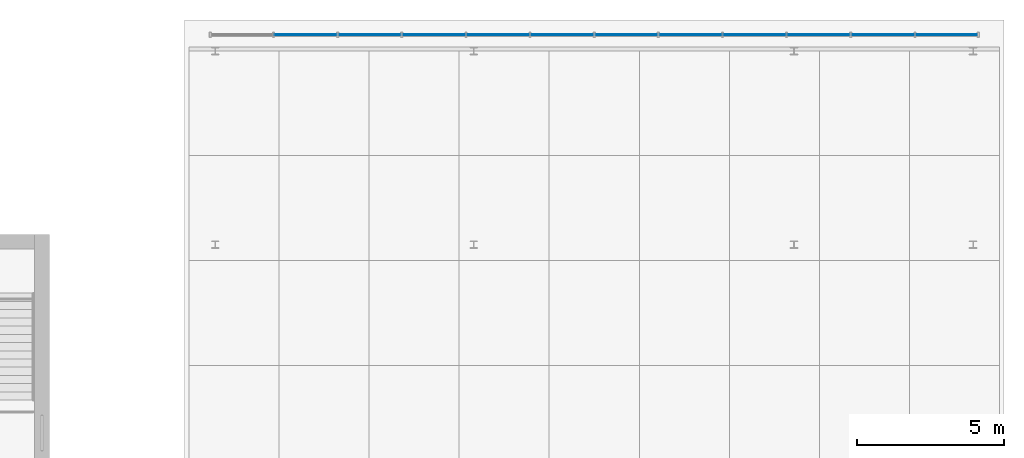
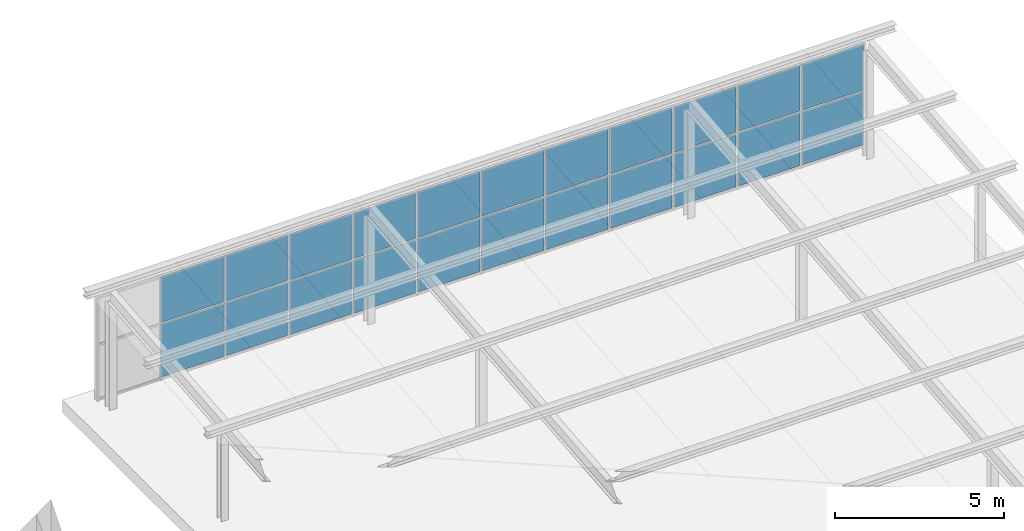
# One storey, part 34 of 44: 22 plates, 1 element without a shape of its own.
"""IFC4 building model written with IfcOpenShell, lengths in metres."""

import ifcopenshell
import ifcopenshell.guid

model = None  # the IFC model being written
_history = None  # IfcOwnerHistory: only IFC2X3 demands one
_inside = {}  # id of a spatial element -> (the spatial element, [elements in it])
_under = {}  # id of a project, library or spatial element -> (it, [spatial elements below it])
_declared = {}  # id of a project -> (the project, [libraries it declares])
_typed = {}  # id of a type object -> (the type object, [elements of that type])
_made_of = {}  # id of a material, layer set ... -> (it, [elements and type objects made of it])


def new_model(schema):
    """Start an empty IFC model of exactly this schema.

    Asked for "IFC4X3", IfcOpenShell would pick the latest addendum, in which some entities
    have other attributes; the version numbers below select the first issue.
    IFC2X3 requires an IfcOwnerHistory on every rooted entity: one is made here for all.
    """
    global model, _history
    if schema == "IFC4X3":
        model = ifcopenshell.file(schema_version=(4, 3, 0, 0))
    else:
        model = ifcopenshell.file(schema=schema)
    _inside.clear()
    _under.clear()
    _declared.clear()
    _typed.clear()
    _made_of.clear()
    _history = None
    if model.schema == "IFC2X3":
        org = make("IfcOrganization", Name="unknown")
        user = make(
            "IfcPersonAndOrganization",
            ThePerson=make("IfcPerson", FamilyName="unknown"),
            TheOrganization=org,
        )
        app = make(
            "IfcApplication",
            ApplicationDeveloper=org,
            Version="unknown",
            ApplicationFullName="unknown",
            ApplicationIdentifier="unknown",
        )
        _history = make(
            "IfcOwnerHistory",
            OwningUser=user,
            OwningApplication=app,
            ChangeAction="ADDED",
            CreationDate=0,
        )
    return model


def make(cls, **values):
    """One entity of the class cls with the attributes given. An attribute that is None is left unset."""
    return model.create_entity(
        cls, **{name: value for name, value in values.items() if value is not None}
    )


def rooted(cls, **values):
    """An entity with a GlobalId (a new one), such as an element, a storey or a relation."""
    return make(cls, GlobalId=ifcopenshell.guid.new(), OwnerHistory=_history, **values)


def si_unit(unit_type, name, prefix=None):
    """IfcSIUnit, for example si_unit("LENGTHUNIT", "METRE", prefix="MILLI")."""
    return make("IfcSIUnit", UnitType=unit_type, Prefix=prefix, Name=name)


def assignment(units):
    """IfcUnitAssignment: the units of a project."""
    return None if units is None else make("IfcUnitAssignment", Units=units)


def point(xyz):
    """IfcCartesianPoint."""
    return None if xyz is None else make("IfcCartesianPoint", Coordinates=xyz)


def direction(xyz):
    """IfcDirection."""
    return None if xyz is None else make("IfcDirection", DirectionRatios=xyz)


def frame(location, z_axis=None, x_axis=None):
    """IfcAxis2Placement3D, a coordinate frame: its origin and axes. An axis left out is left unset."""
    return make(
        "IfcAxis2Placement3D",
        Location=point(location),
        Axis=direction(z_axis),
        RefDirection=direction(x_axis),
    )


def frame_2d(location, x_axis=None):
    """IfcAxis2Placement2D, a coordinate frame in the plane: its origin and x axis."""
    return make(
        "IfcAxis2Placement2D", Location=point(location), RefDirection=direction(x_axis)
    )


def origin():
    """The frame at (0, 0, 0) with its axes left unset."""
    return frame((0.0, 0.0, 0.0))


def origin_2d():
    """The frame at (0, 0) in the plane with its x axis left unset."""
    return frame_2d((0.0, 0.0))


def place(relative_to, where):
    """IfcLocalPlacement: puts the frame where relative to a parent placement (None: the world)."""
    return make(
        "IfcLocalPlacement", PlacementRelTo=relative_to, RelativePlacement=where
    )


def context(
    kind, dimensions, precision=None, world=None, true_north=None, identifier=None
):
    """IfcGeometricRepresentationContext, for example the 3D "Model" context."""
    return make(
        "IfcGeometricRepresentationContext",
        ContextIdentifier=identifier,
        ContextType=kind,
        CoordinateSpaceDimension=dimensions,
        Precision=precision,
        WorldCoordinateSystem=world,
        TrueNorth=true_north,
    )


def subcontext(parent, identifier, kind, view, scale=None):
    """IfcGeometricRepresentationSubContext, for example "Body" below "Model"."""
    return make(
        "IfcGeometricRepresentationSubContext",
        ContextIdentifier=identifier,
        ContextType=kind,
        ParentContext=parent,
        TargetScale=scale,
        TargetView=view,
    )


def project(units=None, contexts=None):
    """IfcProject with its units and contexts."""
    return rooted(
        "IfcProject",
        Name="project",
        RepresentationContexts=contexts,
        UnitsInContext=assignment(units),
    )


def spatial(cls, under=None, at=None, **own):
    """A site, building, storey or space (cls), placed at a placement, below another one or the project."""
    s = rooted(cls, ObjectPlacement=at, **own)
    if under is not None:
        _under.setdefault(under.id(), (under, []))[1].append(s)
    return s


def profile(cls, at=None, kind="AREA", **sizes):
    """A parametric profile (cls). Its sizes go by their IFC names, for example OverallWidth=200.0."""
    return make(cls, ProfileType=kind, Position=at, **sizes)


def rectangle(**sizes):
    """IfcRectangleProfileDef."""
    return profile("IfcRectangleProfileDef", **sizes)


def extrude(swept, where, along, depth):
    """IfcExtrudedAreaSolid: the profile swept, set in the frame where, extruded along a direction by depth."""
    return make(
        "IfcExtrudedAreaSolid",
        SweptArea=swept,
        Position=where,
        ExtrudedDirection=direction(along),
        Depth=depth,
    )


def shape(context_of_items, identifier, shape_type, items):
    """IfcShapeRepresentation: the items that make up one representation, for example the "Body"."""
    return make(
        "IfcShapeRepresentation",
        ContextOfItems=context_of_items,
        RepresentationIdentifier=identifier,
        RepresentationType=shape_type,
        Items=items,
    )


def material(Name=None, Category=None):
    """IfcMaterial."""
    return make("IfcMaterial", Name=Name, Category=Category)


def layer(
    of_material, thickness, ventilated=None, Name=None, Category=None, Priority=None
):
    """IfcMaterialLayer: one layer of a wall or slab, of a material (None: an air gap)."""
    return make(
        "IfcMaterialLayer",
        Material=of_material,
        LayerThickness=thickness,
        IsVentilated=ventilated,
        Name=Name,
        Category=Category,
        Priority=Priority,
    )


def layer_set(layers, Name=None):
    """IfcMaterialLayerSet."""
    return make("IfcMaterialLayerSet", MaterialLayers=layers, LayerSetName=Name)


def made_of(thing, what):
    """Note that an element or type object is made of a material, layer set ...; save() writes the relation."""
    if what is not None:
        _made_of.setdefault(what.id(), (what, []))[1].append(thing)
    return thing


def type_object(cls, material=None, **own):
    """A type object (cls), such as IfcWallType, which elements share."""
    return made_of(rooted(cls, **own), material)


def element(
    cls,
    number,
    at=None,
    inside=None,
    cuts=None,
    type_object=None,
    material=None,
    context=None,
    identifier="Body",
    shape_type=None,
    held_by="IfcProductDefinitionShape",
    body=None,
    shapes=None,
    **own,
):
    """One element of the class cls, such as IfcWall. Its Tag is "e" and its number.

    at: its placement. inside: the storey or other place that contains it. cuts: it is an
    opening in that element (IfcRelVoidsElement). A single representation is given by context,
    identifier, shape_type and body (its items); several are given by shapes. held_by: the class
    of the entity that holds the representations. save() writes the other relations.
    """
    e = rooted(cls, Tag="e%d" % number, ObjectPlacement=at, **own)
    if body is not None:
        shapes = [shape(context, identifier, shape_type, body)]
    if shapes is not None:
        e.Representation = make(held_by, Representations=shapes)
    if inside is not None:
        _inside.setdefault(inside.id(), (inside, []))[1].append(e)
    if cuts is not None:
        rooted(
            "IfcRelVoidsElement", RelatingBuildingElement=cuts, RelatedOpeningElement=e
        )
    if type_object is not None:
        _typed.setdefault(type_object.id(), (type_object, []))[1].append(e)
    return made_of(e, material)


def aggregate(whole, parts):
    """IfcRelAggregates: a whole, such as a stair, and the parts it consists of."""
    return rooted("IfcRelAggregates", RelatingObject=whole, RelatedObjects=parts)


def save(model, path):
    """Write the relations noted so far, then the file.

    IfcRelAggregates (storeys below a building ...), IfcRelContainedInSpatialStructure (elements
    in a storey), IfcRelDefinesByType, IfcRelAssociatesMaterial and IfcRelDeclares: one each for
    every whole, place, type object, material and project.
    """
    for whole, parts in _under.values():
        aggregate(whole, parts)
    for where, things in _inside.values():
        rooted(
            "IfcRelContainedInSpatialStructure",
            RelatedElements=things,
            RelatingStructure=where,
        )
    for kind, things in _typed.values():
        rooted("IfcRelDefinesByType", RelatedObjects=things, RelatingType=kind)
    for what, things in _made_of.values():
        rooted("IfcRelAssociatesMaterial", RelatedObjects=things, RelatingMaterial=what)
    for by, libraries in _declared.values():
        rooted("IfcRelDeclares", RelatingContext=by, RelatedDefinitions=libraries)
    model.write(path)


model = new_model("IFC4")

# Units and contexts
model_context = context("Model", 3, precision=1e-05, world=origin(), true_north=direction((0.0, 1.0)))
body_context = subcontext(model_context, "Body", "Model", "MODEL_VIEW")
ifc_project = project(units=[si_unit("LENGTHUNIT", "METRE"), si_unit("AREAUNIT", "SQUARE_METRE"), si_unit("VOLUMEUNIT", "CUBIC_METRE"), si_unit("PLANEANGLEUNIT", "RADIAN"), si_unit("MASSUNIT", "GRAM", prefix="KILO")], contexts=[model_context])

# Site, building, storey
site_placement = place(None, origin())
site = spatial("IfcSite", under=ifc_project, at=site_placement, CompositionType="ELEMENT")
building_placement = place(site_placement, origin())
building = spatial("IfcBuilding", under=site, at=building_placement, Name="Basin Gate Institute", CompositionType="ELEMENT")
storey_placement = place(building_placement, frame((0.0, 0.0, 27.0)))
storey = spatial("IfcBuildingStorey", under=building, at=storey_placement, Name="L05", CompositionType="ELEMENT", Elevation=27.0)

# Curtain wall, plates
ifc_material_1 = material(Name="Aluminium and glass curtain wall", Category="aluminium")
ifc_layer_1 = layer(ifc_material_1, 0.14990234375)
ifc_layer_set_1 = layer_set([ifc_layer_1], Name="Atrium curtain wall CW81")
curtain_wall_type = type_object("IfcCurtainWallType", Name="Atrium curtain wall CW81", PredefinedType="NOTDEFINED", material=ifc_layer_set_1)
curtain_wall_placement = place(storey_placement, origin())
curtain_wall = element("IfcCurtainWall", 1, at=curtain_wall_placement, inside=storey, type_object=curtain_wall_type, material=ifc_layer_set_1, Name="Clean block north clerestory glazing", PredefinedType="NOTDEFINED")
ifc_material_2 = material(Name="Toughened glass", Category="glass")
ifc_layer_2 = layer(ifc_material_2, 0.028076171875)
ifc_layer_set_2 = layer_set([ifc_layer_2], Name="Atrium glass panel PN81")
plate_type = type_object("IfcPlateType", Name="Atrium glass panel PN81", PredefinedType="CURTAIN_PANEL", material=ifc_layer_set_2)
plate_1_placement = place(storey_placement, frame((127.77490234375, 106.949951171875, 0.06005859375), z_axis=(0.0, 0.0, 1.0), x_axis=(1.0, 0.0, 0.0)))
plate_1 = element("IfcPlate", 2, at=plate_1_placement, type_object=plate_type, material=ifc_layer_set_2, Name="CW81 panel 2.1", PredefinedType="CURTAIN_PANEL", context=body_context, shape_type="SweptSolid", body=[
    extrude(rectangle(XDim=2.123291015625, YDim=0.028076171875, at=origin_2d()), origin(), (0.0, 0.0, 1.0), 1.909912109375),
])
plate_2_placement = place(storey_placement, frame((127.77490234375, 106.949951171875, 2.030029296875), z_axis=(0.0, 0.0, 1.0), x_axis=(1.0, 0.0, 0.0)))
plate_2 = element("IfcPlate", 3, at=plate_2_placement, type_object=plate_type, material=ifc_layer_set_2, Name="CW81 panel 2.2", PredefinedType="CURTAIN_PANEL", context=body_context, shape_type="SweptSolid", body=[
    extrude(rectangle(XDim=2.123291015625, YDim=0.028076171875, at=origin_2d()), origin(), (0.0, 0.0, 1.0), 1.6396484375),
])
plate_3_placement = place(storey_placement, frame((129.958251953125, 106.949951171875, 0.06005859375), z_axis=(0.0, 0.0, 1.0), x_axis=(1.0, 0.0, 0.0)))
plate_3 = element("IfcPlate", 4, at=plate_3_placement, type_object=plate_type, material=ifc_layer_set_2, Name="CW81 panel 3.1", PredefinedType="CURTAIN_PANEL", context=body_context, shape_type="SweptSolid", body=[
    extrude(rectangle(XDim=2.123291015625, YDim=0.028076171875, at=origin_2d()), origin(), (0.0, 0.0, 1.0), 1.909912109375),
])
plate_4_placement = place(storey_placement, frame((129.958251953125, 106.949951171875, 2.030029296875), z_axis=(0.0, 0.0, 1.0), x_axis=(1.0, 0.0, 0.0)))
plate_4 = element("IfcPlate", 5, at=plate_4_placement, type_object=plate_type, material=ifc_layer_set_2, Name="CW81 panel 3.2", PredefinedType="CURTAIN_PANEL", context=body_context, shape_type="SweptSolid", body=[
    extrude(rectangle(XDim=2.123291015625, YDim=0.028076171875, at=origin_2d()), origin(), (0.0, 0.0, 1.0), 1.6396484375),
])
plate_5_placement = place(storey_placement, frame((132.1416015625, 106.949951171875, 0.06005859375), z_axis=(0.0, 0.0, 1.0), x_axis=(1.0, 0.0, 0.0)))
plate_5 = element("IfcPlate", 6, at=plate_5_placement, type_object=plate_type, material=ifc_layer_set_2, Name="CW81 panel 4.1", PredefinedType="CURTAIN_PANEL", context=body_context, shape_type="SweptSolid", body=[
    extrude(rectangle(XDim=2.123291015625, YDim=0.028076171875, at=origin_2d()), origin(), (0.0, 0.0, 1.0), 1.909912109375),
])
plate_6_placement = place(storey_placement, frame((132.1416015625, 106.949951171875, 2.030029296875), z_axis=(0.0, 0.0, 1.0), x_axis=(1.0, 0.0, 0.0)))
plate_6 = element("IfcPlate", 7, at=plate_6_placement, type_object=plate_type, material=ifc_layer_set_2, Name="CW81 panel 4.2", PredefinedType="CURTAIN_PANEL", context=body_context, shape_type="SweptSolid", body=[
    extrude(rectangle(XDim=2.123291015625, YDim=0.028076171875, at=origin_2d()), origin(), (0.0, 0.0, 1.0), 1.6396484375),
])
plate_7_placement = place(storey_placement, frame((134.324951171875, 106.949951171875, 0.06005859375), z_axis=(0.0, 0.0, 1.0), x_axis=(1.0, 0.0, 0.0)))
plate_7 = element("IfcPlate", 8, at=plate_7_placement, type_object=plate_type, material=ifc_layer_set_2, Name="CW81 panel 5.1", PredefinedType="CURTAIN_PANEL", context=body_context, shape_type="SweptSolid", body=[
    extrude(rectangle(XDim=2.123291015625, YDim=0.028076171875, at=origin_2d()), origin(), (0.0, 0.0, 1.0), 1.909912109375),
])
plate_8_placement = place(storey_placement, frame((134.324951171875, 106.949951171875, 2.030029296875), z_axis=(0.0, 0.0, 1.0), x_axis=(1.0, 0.0, 0.0)))
plate_8 = element("IfcPlate", 9, at=plate_8_placement, type_object=plate_type, material=ifc_layer_set_2, Name="CW81 panel 5.2", PredefinedType="CURTAIN_PANEL", context=body_context, shape_type="SweptSolid", body=[
    extrude(rectangle(XDim=2.123291015625, YDim=0.028076171875, at=origin_2d()), origin(), (0.0, 0.0, 1.0), 1.6396484375),
])
plate_9_placement = place(storey_placement, frame((136.50830078125, 106.949951171875, 0.06005859375), z_axis=(0.0, 0.0, 1.0), x_axis=(1.0, 0.0, 0.0)))
plate_9 = element("IfcPlate", 10, at=plate_9_placement, type_object=plate_type, material=ifc_layer_set_2, Name="CW81 panel 6.1", PredefinedType="CURTAIN_PANEL", context=body_context, shape_type="SweptSolid", body=[
    extrude(rectangle(XDim=2.123291015625, YDim=0.028076171875, at=origin_2d()), origin(), (0.0, 0.0, 1.0), 1.909912109375),
])
plate_10_placement = place(storey_placement, frame((136.50830078125, 106.949951171875, 2.030029296875), z_axis=(0.0, 0.0, 1.0), x_axis=(1.0, 0.0, 0.0)))
plate_10 = element("IfcPlate", 11, at=plate_10_placement, type_object=plate_type, material=ifc_layer_set_2, Name="CW81 panel 6.2", PredefinedType="CURTAIN_PANEL", context=body_context, shape_type="SweptSolid", body=[
    extrude(rectangle(XDim=2.123291015625, YDim=0.028076171875, at=origin_2d()), origin(), (0.0, 0.0, 1.0), 1.6396484375),
])
plate_11_placement = place(storey_placement, frame((138.691650390625, 106.949951171875, 0.06005859375), z_axis=(0.0, 0.0, 1.0), x_axis=(1.0, 0.0, 0.0)))
plate_11 = element("IfcPlate", 12, at=plate_11_placement, type_object=plate_type, material=ifc_layer_set_2, Name="CW81 panel 7.1", PredefinedType="CURTAIN_PANEL", context=body_context, shape_type="SweptSolid", body=[
    extrude(rectangle(XDim=2.123291015625, YDim=0.028076171875, at=origin_2d()), origin(), (0.0, 0.0, 1.0), 1.909912109375),
])
plate_12_placement = place(storey_placement, frame((138.691650390625, 106.949951171875, 2.030029296875), z_axis=(0.0, 0.0, 1.0), x_axis=(1.0, 0.0, 0.0)))
plate_12 = element("IfcPlate", 13, at=plate_12_placement, type_object=plate_type, material=ifc_layer_set_2, Name="CW81 panel 7.2", PredefinedType="CURTAIN_PANEL", context=body_context, shape_type="SweptSolid", body=[
    extrude(rectangle(XDim=2.123291015625, YDim=0.028076171875, at=origin_2d()), origin(), (0.0, 0.0, 1.0), 1.6396484375),
])
plate_13_placement = place(storey_placement, frame((140.875, 106.949951171875, 0.06005859375), z_axis=(0.0, 0.0, 1.0), x_axis=(1.0, 0.0, 0.0)))
plate_13 = element("IfcPlate", 14, at=plate_13_placement, type_object=plate_type, material=ifc_layer_set_2, Name="CW81 panel 8.1", PredefinedType="CURTAIN_PANEL", context=body_context, shape_type="SweptSolid", body=[
    extrude(rectangle(XDim=2.123291015625, YDim=0.028076171875, at=origin_2d()), origin(), (0.0, 0.0, 1.0), 1.909912109375),
])
plate_14_placement = place(storey_placement, frame((140.875, 106.949951171875, 2.030029296875), z_axis=(0.0, 0.0, 1.0), x_axis=(1.0, 0.0, 0.0)))
plate_14 = element("IfcPlate", 15, at=plate_14_placement, type_object=plate_type, material=ifc_layer_set_2, Name="CW81 panel 8.2", PredefinedType="CURTAIN_PANEL", context=body_context, shape_type="SweptSolid", body=[
    extrude(rectangle(XDim=2.123291015625, YDim=0.028076171875, at=origin_2d()), origin(), (0.0, 0.0, 1.0), 1.6396484375),
])
plate_15_placement = place(storey_placement, frame((143.058349609375, 106.949951171875, 0.06005859375), z_axis=(0.0, 0.0, 1.0), x_axis=(1.0, 0.0, 0.0)))
plate_15 = element("IfcPlate", 16, at=plate_15_placement, type_object=plate_type, material=ifc_layer_set_2, Name="CW81 panel 9.1", PredefinedType="CURTAIN_PANEL", context=body_context, shape_type="SweptSolid", body=[
    extrude(rectangle(XDim=2.123291015625, YDim=0.028076171875, at=origin_2d()), origin(), (0.0, 0.0, 1.0), 1.909912109375),
])
plate_16_placement = place(storey_placement, frame((143.058349609375, 106.949951171875, 2.030029296875), z_axis=(0.0, 0.0, 1.0), x_axis=(1.0, 0.0, 0.0)))
plate_16 = element("IfcPlate", 17, at=plate_16_placement, type_object=plate_type, material=ifc_layer_set_2, Name="CW81 panel 9.2", PredefinedType="CURTAIN_PANEL", context=body_context, shape_type="SweptSolid", body=[
    extrude(rectangle(XDim=2.123291015625, YDim=0.028076171875, at=origin_2d()), origin(), (0.0, 0.0, 1.0), 1.6396484375),
])
plate_17_placement = place(storey_placement, frame((145.24169921875, 106.949951171875, 0.06005859375), z_axis=(0.0, 0.0, 1.0), x_axis=(1.0, 0.0, 0.0)))
plate_17 = element("IfcPlate", 18, at=plate_17_placement, type_object=plate_type, material=ifc_layer_set_2, Name="CW81 panel 10.1", PredefinedType="CURTAIN_PANEL", context=body_context, shape_type="SweptSolid", body=[
    extrude(rectangle(XDim=2.123291015625, YDim=0.028076171875, at=origin_2d()), origin(), (0.0, 0.0, 1.0), 1.909912109375),
])
plate_18_placement = place(storey_placement, frame((145.24169921875, 106.949951171875, 2.030029296875), z_axis=(0.0, 0.0, 1.0), x_axis=(1.0, 0.0, 0.0)))
plate_18 = element("IfcPlate", 19, at=plate_18_placement, type_object=plate_type, material=ifc_layer_set_2, Name="CW81 panel 10.2", PredefinedType="CURTAIN_PANEL", context=body_context, shape_type="SweptSolid", body=[
    extrude(rectangle(XDim=2.123291015625, YDim=0.028076171875, at=origin_2d()), origin(), (0.0, 0.0, 1.0), 1.6396484375),
])
plate_19_placement = place(storey_placement, frame((147.425048828125, 106.949951171875, 0.06005859375), z_axis=(0.0, 0.0, 1.0), x_axis=(1.0, 0.0, 0.0)))
plate_19 = element("IfcPlate", 20, at=plate_19_placement, type_object=plate_type, material=ifc_layer_set_2, Name="CW81 panel 11.1", PredefinedType="CURTAIN_PANEL", context=body_context, shape_type="SweptSolid", body=[
    extrude(rectangle(XDim=2.123291015625, YDim=0.028076171875, at=origin_2d()), origin(), (0.0, 0.0, 1.0), 1.909912109375),
])
plate_20_placement = place(storey_placement, frame((147.425048828125, 106.949951171875, 2.030029296875), z_axis=(0.0, 0.0, 1.0), x_axis=(1.0, 0.0, 0.0)))
plate_20 = element("IfcPlate", 21, at=plate_20_placement, type_object=plate_type, material=ifc_layer_set_2, Name="CW81 panel 11.2", PredefinedType="CURTAIN_PANEL", context=body_context, shape_type="SweptSolid", body=[
    extrude(rectangle(XDim=2.123291015625, YDim=0.028076171875, at=origin_2d()), origin(), (0.0, 0.0, 1.0), 1.6396484375),
])
plate_21_placement = place(storey_placement, frame((149.59326171875, 106.949951171875, 0.06005859375), z_axis=(0.0, 0.0, 1.0), x_axis=(1.0, 0.0, 0.0)))
plate_21 = element("IfcPlate", 22, at=plate_21_placement, type_object=plate_type, material=ifc_layer_set_2, Name="CW81 panel 12.1", PredefinedType="CURTAIN_PANEL", context=body_context, shape_type="SweptSolid", body=[
    extrude(rectangle(XDim=2.09326171875, YDim=0.028076171875, at=origin_2d()), origin(), (0.0, 0.0, 1.0), 1.909912109375),
])
plate_22_placement = place(storey_placement, frame((149.59326171875, 106.949951171875, 2.030029296875), z_axis=(0.0, 0.0, 1.0), x_axis=(1.0, 0.0, 0.0)))
plate_22 = element("IfcPlate", 23, at=plate_22_placement, type_object=plate_type, material=ifc_layer_set_2, Name="CW81 panel 12.2", PredefinedType="CURTAIN_PANEL", context=body_context, shape_type="SweptSolid", body=[
    extrude(rectangle(XDim=2.09326171875, YDim=0.028076171875, at=origin_2d()), origin(), (0.0, 0.0, 1.0), 1.6396484375),
])
aggregate(curtain_wall, [plate_1, plate_2, plate_3, plate_4, plate_5, plate_6, plate_7, plate_8, plate_9, plate_10, plate_11, plate_12, plate_13, plate_14, plate_15, plate_16, plate_17, plate_18, plate_19, plate_20, plate_21, plate_22])

save(model, "model.ifc")
